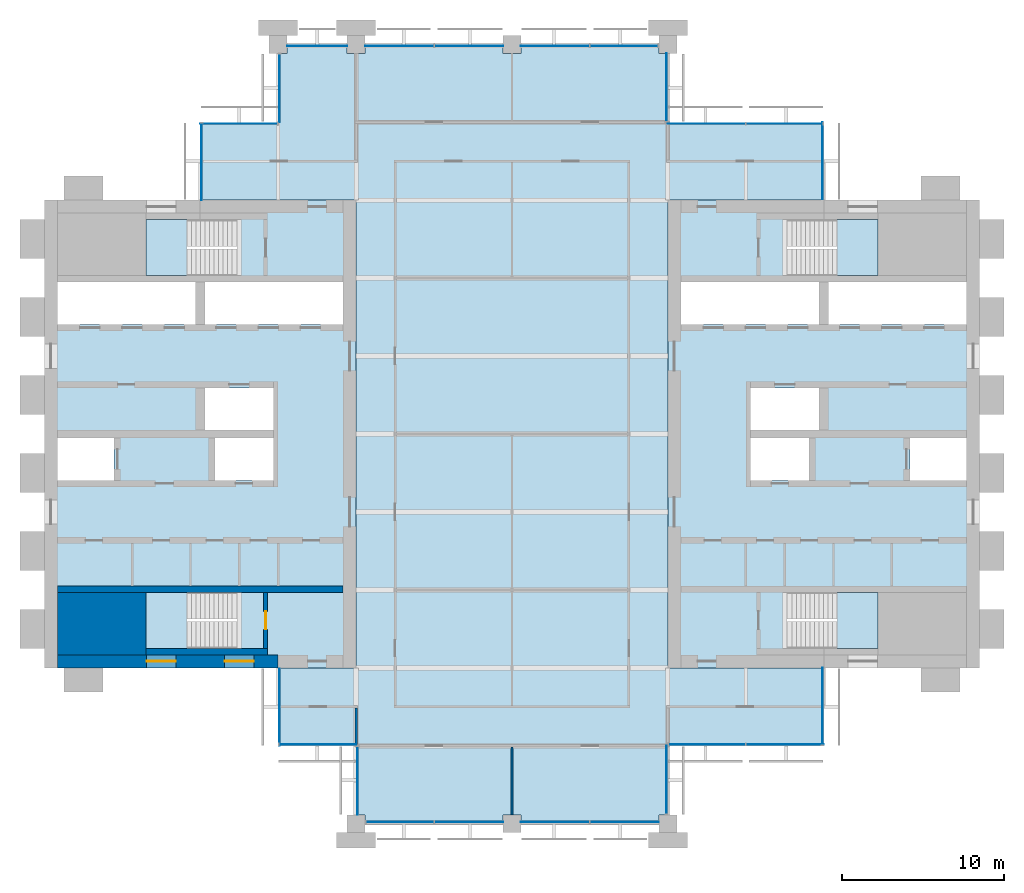
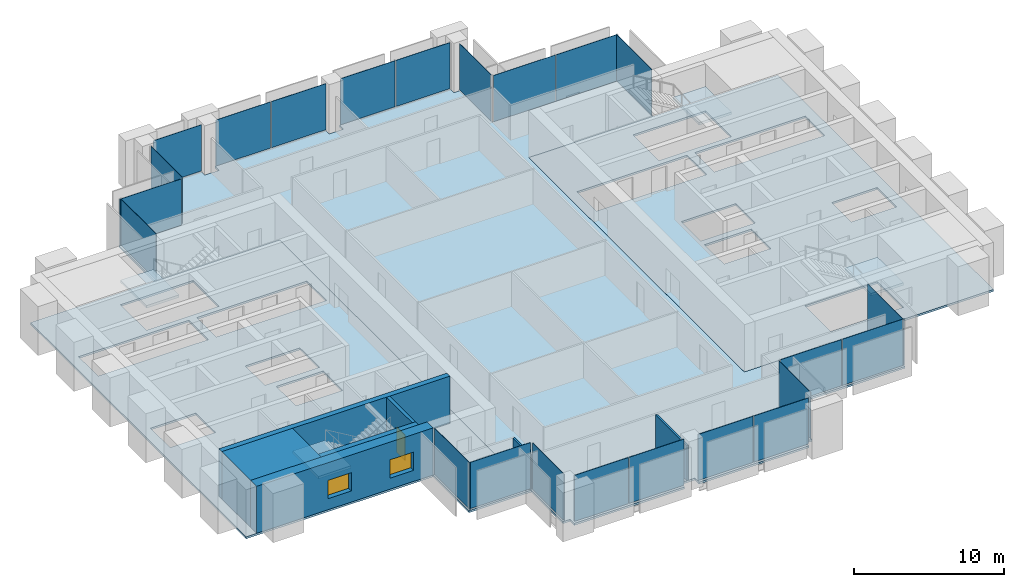
# One storey, part 7 of 13: 23 plates, 7 slabs, 7 walls, 2 windows, 1 door, 3 openings, 18 elements without a shape of their own.
"""IFC4 building model written with IfcOpenShell, lengths in metres."""

from ifc_helpers import new_model, si_unit, direction, frame, frame_2d, origin, origin_2d, place, context, subcontext, project, spatial, polyline, rectangle, outline, extrude, material, layer, layer_set, type_object, element, fill, aggregate, save


model = new_model("IFC4")

# Units and contexts
model_context = context("Model", 3, precision=1e-05, world=origin(), true_north=direction((0.0, 1.0)))
body_context = subcontext(model_context, "Body", "Model", "MODEL_VIEW")
ifc_project = project(units=[si_unit("LENGTHUNIT", "METRE"), si_unit("AREAUNIT", "SQUARE_METRE"), si_unit("VOLUMEUNIT", "CUBIC_METRE"), si_unit("PLANEANGLEUNIT", "RADIAN"), si_unit("MASSUNIT", "GRAM", prefix="KILO")], contexts=[model_context])

# Site, building, storey
site_placement = place(None, origin())
site = spatial("IfcSite", under=ifc_project, at=site_placement, CompositionType="ELEMENT")
building_placement = place(site_placement, origin())
building = spatial("IfcBuilding", under=site, at=building_placement, Name="Baori Bourse Tower", CompositionType="ELEMENT")
storey_placement = place(building_placement, frame((0.0, 0.0, 217.199951171875)))
storey = spatial("IfcBuildingStorey", under=building, at=storey_placement, Name="L47", CompositionType="ELEMENT", Elevation=217.199951171875)

# Curtain wall, plate
ifc_material_1 = material(Name="Pale anodised aluminium", Category="aluminium")
curtain_wall_type_1 = type_object("IfcCurtainWallType", Name="CW2 Curtain wall", PredefinedType="NOTDEFINED", material=ifc_material_1)
curtain_wall_1_placement = place(storey_placement, origin())
curtain_wall_1 = element("IfcCurtainWall", 1, at=curtain_wall_1_placement, inside=storey, type_object=curtain_wall_type_1, Name="Curtain wall CW2 L47 1", PredefinedType="NOTDEFINED")
ifc_material_2 = material(Name="Clear glass", Category="glass")
ifc_layer_1 = layer(ifc_material_2, 0.030029296875)
ifc_layer_set_1 = layer_set([ifc_layer_1], Name="CW2 Curtain wall panel")
plate_type_1 = type_object("IfcPlateType", Name="CW2 Curtain wall panel", PredefinedType="CURTAIN_PANEL", material=ifc_layer_set_1)
plate_1_placement = place(storey_placement, frame((47.909912109375, 40.827392578125, 0.070068359375), z_axis=(0.0, 0.0, 1.0), x_axis=(0.0, 1.0, 0.0)))
plate_1 = element("IfcPlate", 2, at=plate_1_placement, type_object=plate_type_1, Name="Curtain wall CW2 panel", PredefinedType="CURTAIN_PANEL", context=body_context, shape_type="SweptSolid", body=[
    extrude(rectangle(XDim=4.7451171875, YDim=0.030029296875, at=origin_2d()), origin(), (0.0, 0.0, 1.0), 3.77001953125),
])
aggregate(curtain_wall_1, [plate_1])

# Curtain wall, plates
curtain_wall_2_placement = place(storey_placement, origin())
curtain_wall_2 = element("IfcCurtainWall", 3, at=curtain_wall_2_placement, inside=storey, type_object=curtain_wall_type_1, Name="Curtain wall CW2 L47 2", PredefinedType="NOTDEFINED")
plate_2_placement = place(storey_placement, frame((45.586181640625, 43.110107421875, 0.070068359375), z_axis=(0.0, 0.0, 1.0), x_axis=(-1.0, 0.0, 0.0)))
plate_2 = element("IfcPlate", 4, at=plate_2_placement, type_object=plate_type_1, Name="Curtain wall CW2 panel", PredefinedType="CURTAIN_PANEL", context=body_context, shape_type="SweptSolid", body=[
    extrude(rectangle(XDim=4.717529296875, YDim=0.030029296875, at=origin_2d()), origin(), (0.0, 0.0, 1.0), 3.77001953125),
])
plate_3_placement = place(storey_placement, frame((40.7861328125, 43.110107421875, 0.070068359375), z_axis=(0.0, 0.0, 1.0), x_axis=(-1.0, 0.0, 0.0)))
plate_3 = element("IfcPlate", 5, at=plate_3_placement, type_object=plate_type_1, Name="Curtain wall CW2 panel", PredefinedType="CURTAIN_PANEL", context=body_context, shape_type="SweptSolid", body=[
    extrude(rectangle(XDim=4.7724609375, YDim=0.030029296875, at=origin_2d()), origin(), (0.0, 0.0, 1.0), 3.77001953125),
])
aggregate(curtain_wall_2, [plate_2, plate_3])

# Curtain wall, plate
curtain_wall_3_placement = place(storey_placement, origin())
curtain_wall_3 = element("IfcCurtainWall", 6, at=curtain_wall_3_placement, inside=storey, type_object=curtain_wall_type_1, Name="Curtain wall CW2 L47 3", PredefinedType="NOTDEFINED")
plate_4_placement = place(storey_placement, frame((38.31005859375, 45.3525390625, 0.070068359375), z_axis=(0.0, 0.0, 1.0), x_axis=(0.0, 1.0, 0.0)))
plate_4 = element("IfcPlate", 7, at=plate_4_placement, type_object=plate_type_1, Name="Curtain wall CW2 panel", PredefinedType="CURTAIN_PANEL", context=body_context, shape_type="SweptSolid", body=[
    extrude(rectangle(XDim=4.195068359375, YDim=0.030029296875, at=origin_2d()), origin(), (0.0, 0.0, 1.0), 3.77001953125),
])
aggregate(curtain_wall_3, [plate_4])

curtain_wall_4_placement = place(storey_placement, origin())
curtain_wall_4 = element("IfcCurtainWall", 8, at=curtain_wall_4_placement, inside=storey, type_object=curtain_wall_type_1, Name="Curtain wall CW2 L47 5", PredefinedType="NOTDEFINED")
plate_5_placement = place(storey_placement, frame((14.489990234375, 45.297607421875, 0.070068359375), z_axis=(0.0, 0.0, 1.0), x_axis=(0.0, -1.0, 0.0)))
plate_5 = element("IfcPlate", 9, at=plate_5_placement, type_object=plate_type_1, Name="Curtain wall CW2 panel", PredefinedType="CURTAIN_PANEL", context=body_context, shape_type="SweptSolid", body=[
    extrude(rectangle(XDim=4.195068359375, YDim=0.030029296875, at=origin_2d()), origin(), (0.0, 0.0, 1.0), 3.77001953125),
])
aggregate(curtain_wall_4, [plate_5])

curtain_wall_5_placement = place(storey_placement, origin())
curtain_wall_5 = element("IfcCurtainWall", 10, at=curtain_wall_5_placement, inside=storey, type_object=curtain_wall_type_1, Name="Curtain wall CW2 L47 6", PredefinedType="NOTDEFINED")
plate_6_placement = place(storey_placement, frame((11.972412109375, 43.110107421875, 0.070068359375), z_axis=(0.0, 0.0, 1.0), x_axis=(-1.0, 0.0, 0.0)))
plate_6 = element("IfcPlate", 11, at=plate_6_placement, type_object=plate_type_1, Name="Curtain wall CW2 panel", PredefinedType="CURTAIN_PANEL", context=body_context, shape_type="SweptSolid", body=[
    extrude(rectangle(XDim=4.7451171875, YDim=0.030029296875, at=origin_2d()), origin(), (0.0, 0.0, 1.0), 3.77001953125),
])
aggregate(curtain_wall_5, [plate_6])

curtain_wall_6_placement = place(storey_placement, origin())
curtain_wall_6 = element("IfcCurtainWall", 12, at=curtain_wall_6_placement, inside=storey, type_object=curtain_wall_type_1, Name="Curtain wall CW2 L47 7", PredefinedType="NOTDEFINED")
plate_7_placement = place(storey_placement, frame((9.68994140625, 40.7724609375, 0.070068359375), z_axis=(0.0, 0.0, 1.0), x_axis=(0.0, -1.0, 0.0)))
plate_7 = element("IfcPlate", 13, at=plate_7_placement, type_object=plate_type_1, Name="Curtain wall CW2 panel", PredefinedType="CURTAIN_PANEL", context=body_context, shape_type="SweptSolid", body=[
    extrude(rectangle(XDim=4.7451171875, YDim=0.030029296875, at=origin_2d()), origin(), (0.0, 0.0, 1.0), 3.77001953125),
])
aggregate(curtain_wall_6, [plate_7])

curtain_wall_7_placement = place(storey_placement, origin())
curtain_wall_7 = element("IfcCurtainWall", 14, at=curtain_wall_7_placement, inside=storey, type_object=curtain_wall_type_1, Name="Curtain wall CW2 L47 8", PredefinedType="NOTDEFINED")
plate_8_placement = place(storey_placement, frame((14.489990234375, 7.172607421875, 0.070068359375), z_axis=(0.0, 0.0, 1.0), x_axis=(0.0, -1.0, 0.0)))
plate_8 = element("IfcPlate", 15, at=plate_8_placement, type_object=plate_type_1, Name="Curtain wall CW2 panel", PredefinedType="CURTAIN_PANEL", context=body_context, shape_type="SweptSolid", body=[
    extrude(rectangle(XDim=4.7451171875, YDim=0.030029296875, at=origin_2d()), origin(), (0.0, 0.0, 1.0), 3.77001953125),
])
aggregate(curtain_wall_7, [plate_8])

curtain_wall_8_placement = place(storey_placement, origin())
curtain_wall_8 = element("IfcCurtainWall", 16, at=curtain_wall_8_placement, inside=storey, type_object=curtain_wall_type_1, Name="Curtain wall CW2 L47 9", PredefinedType="NOTDEFINED")
plate_9_placement = place(storey_placement, frame((16.827392578125, 4.889892578125, 0.070068359375), z_axis=(0.0, 0.0, 1.0), x_axis=(1.0, 0.0, 0.0)))
plate_9 = element("IfcPlate", 17, at=plate_9_placement, type_object=plate_type_1, Name="Curtain wall CW2 panel", PredefinedType="CURTAIN_PANEL", context=body_context, shape_type="SweptSolid", body=[
    extrude(rectangle(XDim=4.7451171875, YDim=0.030029296875, at=origin_2d()), origin(), (0.0, 0.0, 1.0), 3.77001953125),
])
aggregate(curtain_wall_8, [plate_9])

curtain_wall_9_placement = place(storey_placement, origin())
curtain_wall_9 = element("IfcCurtainWall", 18, at=curtain_wall_9_placement, inside=storey, type_object=curtain_wall_type_1, Name="Curtain wall CW2 L47 10", PredefinedType="NOTDEFINED")
plate_10_placement = place(storey_placement, frame((19.2900390625, 2.6474609375, 0.070068359375), z_axis=(0.0, 0.0, 1.0), x_axis=(0.0, -1.0, 0.0)))
plate_10 = element("IfcPlate", 19, at=plate_10_placement, type_object=plate_type_1, Name="Curtain wall CW2 panel", PredefinedType="CURTAIN_PANEL", context=body_context, shape_type="SweptSolid", body=[
    extrude(rectangle(XDim=4.195068359375, YDim=0.030029296875, at=origin_2d()), origin(), (0.0, 0.0, 1.0), 3.77001953125),
])
aggregate(curtain_wall_9, [plate_10])

curtain_wall_10_placement = place(storey_placement, origin())
curtain_wall_10 = element("IfcCurtainWall", 20, at=curtain_wall_10_placement, inside=storey, type_object=curtain_wall_type_1, Name="Curtain wall CW2 L47 12", PredefinedType="NOTDEFINED")
plate_11_placement = place(storey_placement, frame((38.31005859375, 2.702392578125, 0.070068359375), z_axis=(0.0, 0.0, 1.0), x_axis=(0.0, 1.0, 0.0)))
plate_11 = element("IfcPlate", 21, at=plate_11_placement, type_object=plate_type_1, Name="Curtain wall CW2 panel", PredefinedType="CURTAIN_PANEL", context=body_context, shape_type="SweptSolid", body=[
    extrude(rectangle(XDim=4.195068359375, YDim=0.030029296875, at=origin_2d()), origin(), (0.0, 0.0, 1.0), 3.77001953125),
])
aggregate(curtain_wall_10, [plate_11])

# Curtain wall, plates
curtain_wall_11_placement = place(storey_placement, origin())
curtain_wall_11 = element("IfcCurtainWall", 22, at=curtain_wall_11_placement, inside=storey, type_object=curtain_wall_type_1, Name="Curtain wall CW2 L47 13", PredefinedType="NOTDEFINED")
plate_12_placement = place(storey_placement, frame((40.813720703125, 4.889892578125, 0.070068359375), z_axis=(0.0, 0.0, 1.0), x_axis=(1.0, 0.0, 0.0)))
plate_12 = element("IfcPlate", 23, at=plate_12_placement, type_object=plate_type_1, Name="Curtain wall CW2 panel", PredefinedType="CURTAIN_PANEL", context=body_context, shape_type="SweptSolid", body=[
    extrude(rectangle(XDim=4.717529296875, YDim=0.030029296875, at=origin_2d()), origin(), (0.0, 0.0, 1.0), 3.77001953125),
])
plate_13_placement = place(storey_placement, frame((45.61376953125, 4.889892578125, 0.070068359375), z_axis=(0.0, 0.0, 1.0), x_axis=(1.0, 0.0, 0.0)))
plate_13 = element("IfcPlate", 24, at=plate_13_placement, type_object=plate_type_1, Name="Curtain wall CW2 panel", PredefinedType="CURTAIN_PANEL", context=body_context, shape_type="SweptSolid", body=[
    extrude(rectangle(XDim=4.7724609375, YDim=0.030029296875, at=origin_2d()), origin(), (0.0, 0.0, 1.0), 3.77001953125),
])
aggregate(curtain_wall_11, [plate_12, plate_13])

# Curtain wall, plate
curtain_wall_12_placement = place(storey_placement, origin())
curtain_wall_12 = element("IfcCurtainWall", 25, at=curtain_wall_12_placement, inside=storey, type_object=curtain_wall_type_1, Name="Curtain wall CW2 L47 14", PredefinedType="NOTDEFINED")
plate_14_placement = place(storey_placement, frame((47.909912109375, 7.2275390625, 0.070068359375), z_axis=(0.0, 0.0, 1.0), x_axis=(0.0, 1.0, 0.0)))
plate_14 = element("IfcPlate", 26, at=plate_14_placement, type_object=plate_type_1, Name="Curtain wall CW2 panel", PredefinedType="CURTAIN_PANEL", context=body_context, shape_type="SweptSolid", body=[
    extrude(rectangle(XDim=4.7451171875, YDim=0.030029296875, at=origin_2d()), origin(), (0.0, 0.0, 1.0), 3.77001953125),
])
aggregate(curtain_wall_12, [plate_14])

# Curtain wall, plates
ifc_material_3 = material(Name="Pale anodised aluminium", Category="aluminium")
curtain_wall_type_2 = type_object("IfcCurtainWallType", Name="CW5 Curtain wall", PredefinedType="NOTDEFINED", material=ifc_material_3)
curtain_wall_13_placement = place(storey_placement, origin())
curtain_wall_13 = element("IfcCurtainWall", 27, at=curtain_wall_13_placement, inside=storey, type_object=curtain_wall_type_2, Name="Curtain wall CW5 L47 4", PredefinedType="NOTDEFINED")
ifc_material_4 = material(Name="Clear glass", Category="glass")
ifc_layer_2 = layer(ifc_material_4, 0.035888671875)
ifc_layer_set_2 = layer_set([ifc_layer_2], Name="CW5 Curtain wall panel")
plate_type_2 = type_object("IfcPlateType", Name="CW5 Curtain wall panel", PredefinedType="CURTAIN_PANEL", material=ifc_layer_set_2)
plate_15_placement = place(storey_placement, frame((35.708740234375, 47.889892578125, 0.085205078125), z_axis=(0.0, 0.0, 1.0), x_axis=(-1.0, 0.0, 0.0)))
plate_15 = element("IfcPlate", 28, at=plate_15_placement, type_object=plate_type_2, Name="Curtain wall CW5 panel", PredefinedType="CURTAIN_PANEL", context=body_context, shape_type="SweptSolid", body=[
    extrude(rectangle(XDim=4.152587890625, YDim=0.035888671875, at=origin_2d()), origin(), (0.0, 0.0, 1.0), 3.7548828125),
])
plate_16_placement = place(storey_placement, frame((31.458740234375, 47.889892578125, 0.085205078125), z_axis=(0.0, 0.0, 1.0), x_axis=(-1.0, 0.0, 0.0)))
plate_16 = element("IfcPlate", 29, at=plate_16_placement, type_object=plate_type_2, Name="Curtain wall CW5 panel", PredefinedType="CURTAIN_PANEL", context=body_context, shape_type="SweptSolid", body=[
    extrude(rectangle(XDim=4.217529296875, YDim=0.035888671875, at=origin_2d()), origin(), (0.0, 0.0, 1.0), 3.7548828125),
])
plate_17_placement = place(storey_placement, frame((26.141357421875, 47.889892578125, 0.085205078125), z_axis=(0.0, 0.0, 1.0), x_axis=(-1.0, 0.0, 0.0)))
plate_17 = element("IfcPlate", 30, at=plate_17_placement, type_object=plate_type_2, Name="Curtain wall CW5 panel", PredefinedType="CURTAIN_PANEL", context=body_context, shape_type="SweptSolid", body=[
    extrude(rectangle(XDim=4.217529296875, YDim=0.035888671875, at=origin_2d()), origin(), (0.0, 0.0, 1.0), 3.7548828125),
])
plate_18_placement = place(storey_placement, frame((21.858642578125, 47.889892578125, 0.085205078125), z_axis=(0.0, 0.0, 1.0), x_axis=(-1.0, 0.0, 0.0)))
plate_18 = element("IfcPlate", 31, at=plate_18_placement, type_object=plate_type_2, Name="Curtain wall CW5 panel", PredefinedType="CURTAIN_PANEL", context=body_context, shape_type="SweptSolid", body=[
    extrude(rectangle(XDim=4.217529296875, YDim=0.035888671875, at=origin_2d()), origin(), (0.0, 0.0, 1.0), 3.7548828125),
])
plate_19_placement = place(storey_placement, frame((16.800048828125, 47.889892578125, 0.085205078125), z_axis=(0.0, 0.0, 1.0), x_axis=(-1.0, 0.0, 0.0)))
plate_19 = element("IfcPlate", 32, at=plate_19_placement, type_object=plate_type_2, Name="Curtain wall CW5 panel", PredefinedType="CURTAIN_PANEL", context=body_context, shape_type="SweptSolid", body=[
    extrude(rectangle(XDim=3.699951171875, YDim=0.035888671875, at=origin_2d()), origin(), (0.0, 0.0, 1.0), 3.7548828125),
])
aggregate(curtain_wall_13, [plate_15, plate_16, plate_17, plate_18, plate_19])

curtain_wall_14_placement = place(storey_placement, origin())
curtain_wall_14 = element("IfcCurtainWall", 33, at=curtain_wall_14_placement, inside=storey, type_object=curtain_wall_type_2, Name="Curtain wall CW5 L47 11", PredefinedType="NOTDEFINED")
plate_20_placement = place(storey_placement, frame((21.891357421875, 0.110107421875, 0.085205078125), z_axis=(0.0, 0.0, 1.0), x_axis=(1.0, 0.0, 0.0)))
plate_20 = element("IfcPlate", 34, at=plate_20_placement, type_object=plate_type_2, Name="Curtain wall CW5 panel", PredefinedType="CURTAIN_PANEL", context=body_context, shape_type="SweptSolid", body=[
    extrude(rectangle(XDim=4.152587890625, YDim=0.035888671875, at=origin_2d()), origin(), (0.0, 0.0, 1.0), 3.7548828125),
])
plate_21_placement = place(storey_placement, frame((26.141357421875, 0.110107421875, 0.085205078125), z_axis=(0.0, 0.0, 1.0), x_axis=(1.0, 0.0, 0.0)))
plate_21 = element("IfcPlate", 35, at=plate_21_placement, type_object=plate_type_2, Name="Curtain wall CW5 panel", PredefinedType="CURTAIN_PANEL", context=body_context, shape_type="SweptSolid", body=[
    extrude(rectangle(XDim=4.217529296875, YDim=0.035888671875, at=origin_2d()), origin(), (0.0, 0.0, 1.0), 3.7548828125),
])
plate_22_placement = place(storey_placement, frame((31.458740234375, 0.110107421875, 0.085205078125), z_axis=(0.0, 0.0, 1.0), x_axis=(1.0, 0.0, 0.0)))
plate_22 = element("IfcPlate", 36, at=plate_22_placement, type_object=plate_type_2, Name="Curtain wall CW5 panel", PredefinedType="CURTAIN_PANEL", context=body_context, shape_type="SweptSolid", body=[
    extrude(rectangle(XDim=4.217529296875, YDim=0.035888671875, at=origin_2d()), origin(), (0.0, 0.0, 1.0), 3.7548828125),
])
plate_23_placement = place(storey_placement, frame((35.7412109375, 0.110107421875, 0.085205078125), z_axis=(0.0, 0.0, 1.0), x_axis=(1.0, 0.0, 0.0)))
plate_23 = element("IfcPlate", 37, at=plate_23_placement, type_object=plate_type_2, Name="Curtain wall CW5 panel", PredefinedType="CURTAIN_PANEL", context=body_context, shape_type="SweptSolid", body=[
    extrude(rectangle(XDim=4.217529296875, YDim=0.035888671875, at=origin_2d()), origin(), (0.0, 0.0, 1.0), 3.7548828125),
])
aggregate(curtain_wall_14, [plate_20, plate_21, plate_22, plate_23])

# Slabs
ifc_material_5 = material(Name="Concrete f'c 50 MPa", Category="concrete")
ifc_layer_3 = layer(ifc_material_5, 0.159912109375)
ifc_layer_set_3 = layer_set([ifc_layer_3], Name="Core slab 160")
slab_type_1 = type_object("IfcSlabType", Name="Core slab 160", PredefinedType="FLOOR", material=ifc_layer_set_3)
slab_1_placement = place(storey_placement, frame((0.0, 0.0, -0.159912109375)))
element("IfcSlab", 38, at=slab_1_placement, inside=storey, type_object=slab_type_1, Name="Core floor slab W01", PredefinedType="FLOOR", context=body_context, shape_type="SweptSolid", body=[
    extrude(outline(polyline([(19.199951171875, 38.39990234375), (0.0, 38.39990234375), (0.0, 9.60009765625), (19.199951171875, 9.60009765625), (19.199951171875, 38.39990234375)]), holes=[polyline([(9.89990234375, 33.35009765625), (18.39990234375, 33.35009765625), (18.39990234375, 30.75), (9.89990234375, 30.75), (9.89990234375, 33.35009765625)]), polyline([(10.5, 21.14990234375), (10.5, 23.75), (14.10009765625, 23.75), (14.10009765625, 21.14990234375), (10.5, 21.14990234375)]), polyline([(14.10009765625, 24.25), (9.89990234375, 24.25), (9.89990234375, 26.85009765625), (14.10009765625, 26.85009765625), (14.10009765625, 24.25)]), polyline([(6.25, 14.25), (11.84912109375, 14.25), (11.84912109375, 10.800048828125), (6.25, 10.800048828125), (6.25, 14.25)]), polyline([(11.84912109375, 37.199951171875), (11.84912109375, 33.75), (6.25, 33.75), (6.25, 37.199951171875), (11.84912109375, 37.199951171875)]), polyline([(0.800048828125, 30.75), (0.800048828125, 33.35009765625), (9.300048828125, 33.35009765625), (9.300048828125, 30.75), (0.800048828125, 30.75)]), polyline([(4.300048828125, 23.75), (4.300048828125, 21.14990234375), (0.800048828125, 21.14990234375), (0.800048828125, 23.75), (4.300048828125, 23.75)])]), origin(), (0.0, 0.0, 1.0), 0.159912109375),
])
slab_2_placement = place(storey_placement, frame((0.0, 0.0, -0.159912109375)))
element("IfcSlab", 39, at=slab_2_placement, inside=storey, type_object=slab_type_1, Name="Core floor slab E01", PredefinedType="FLOOR", context=body_context, shape_type="SweptSolid", body=[
    extrude(outline(polyline([(57.60009765625, 9.60009765625), (57.60009765625, 38.39990234375), (38.39990234375, 38.39990234375), (38.39990234375, 9.60009765625), (57.60009765625, 9.60009765625)]), holes=[polyline([(48.300048828125, 33.35009765625), (56.800048828125, 33.35009765625), (56.800048828125, 30.75), (48.300048828125, 30.75), (48.300048828125, 33.35009765625)]), polyline([(56.800048828125, 21.14990234375), (53.300048828125, 21.14990234375), (53.300048828125, 23.75), (56.800048828125, 23.75), (56.800048828125, 21.14990234375)]), polyline([(45.750732421875, 14.25), (51.35009765625, 14.25), (51.35009765625, 10.800048828125), (45.750732421875, 10.800048828125), (45.750732421875, 14.25)]), polyline([(51.35009765625, 37.199951171875), (51.35009765625, 33.75), (45.750732421875, 33.75), (45.750732421875, 37.199951171875), (51.35009765625, 37.199951171875)]), polyline([(43.5, 24.25), (43.5, 26.85009765625), (47.699951171875, 26.85009765625), (47.699951171875, 24.25), (43.5, 24.25)]), polyline([(47.699951171875, 33.35009765625), (47.699951171875, 30.75), (39.199951171875, 30.75), (39.199951171875, 33.35009765625), (47.699951171875, 33.35009765625)]), polyline([(43.5, 23.75), (47.10009765625, 23.75), (47.10009765625, 21.14990234375), (43.5, 21.14990234375), (43.5, 23.75)])]), origin(), (0.0, 0.0, 1.0), 0.159912109375),
])

# Stair, slab
ifc_material_6 = material(Name="Concrete f'c 50 MPa", Category="concrete")
stair_type = type_object("IfcStairType", Name="Core stair", PredefinedType="HALF_TURN_STAIR", material=ifc_material_6)
stair_1_placement = place(storey_placement, origin())
stair_1 = element("IfcStair", 40, at=stair_1_placement, inside=storey, type_object=stair_type, Name="L47 Stair WA", PredefinedType="HALF_TURN_STAIR")
ifc_material_7 = material(Name="Concrete f'c 50 MPa", Category="concrete")
slab_type_2 = type_object("IfcSlabType", Name="Core stair landing", PredefinedType="LANDING", material=ifc_material_7)
slab_3_placement = place(storey_placement, frame((0.0, 0.0, 1.800048828125)))
slab_3 = element("IfcSlab", 41, at=slab_3_placement, type_object=slab_type_2, Name="ST1 landing 1", PredefinedType="LANDING", context=body_context, shape_type="SweptSolid", body=[
    extrude(outline(polyline([(8.77001953125, 14.25), (6.25, 14.25), (6.25, 10.800048828125), (8.77001953125, 10.800048828125), (8.77001953125, 14.25)])), origin(), (0.0, 0.0, 1.0), 0.199951171875),
])
aggregate(stair_1, [slab_3])

stair_2_placement = place(storey_placement, origin())
stair_2 = element("IfcStair", 42, at=stair_2_placement, inside=storey, type_object=stair_type, Name="L47 Stair WB", PredefinedType="HALF_TURN_STAIR")
slab_4_placement = place(storey_placement, frame((0.0, 0.0, 1.800048828125)))
slab_4 = element("IfcSlab", 43, at=slab_4_placement, type_object=slab_type_2, Name="ST2 landing 1", PredefinedType="LANDING", context=body_context, shape_type="SweptSolid", body=[
    extrude(outline(polyline([(8.77001953125, 37.199951171875), (6.25, 37.199951171875), (6.25, 33.75), (8.77001953125, 33.75), (8.77001953125, 37.199951171875)])), origin(), (0.0, 0.0, 1.0), 0.199951171875),
])
aggregate(stair_2, [slab_4])

stair_3_placement = place(storey_placement, origin())
stair_3 = element("IfcStair", 44, at=stair_3_placement, inside=storey, type_object=stair_type, Name="L47 Stair EA", PredefinedType="HALF_TURN_STAIR")
slab_5_placement = place(storey_placement, frame((0.0, 0.0, 1.800048828125)))
slab_5 = element("IfcSlab", 45, at=slab_5_placement, type_object=slab_type_2, Name="ST3 landing 1", PredefinedType="LANDING", context=body_context, shape_type="SweptSolid", body=[
    extrude(outline(polyline([(48.830078125, 10.800048828125), (51.35009765625, 10.800048828125), (51.35009765625, 14.25), (48.830078125, 14.25), (48.830078125, 10.800048828125)])), origin(), (0.0, 0.0, 1.0), 0.199951171875),
])
aggregate(stair_3, [slab_5])

stair_4_placement = place(storey_placement, origin())
stair_4 = element("IfcStair", 46, at=stair_4_placement, inside=storey, type_object=stair_type, Name="L47 Stair EB", PredefinedType="HALF_TURN_STAIR")
slab_6_placement = place(storey_placement, frame((0.0, 0.0, 1.800048828125)))
slab_6 = element("IfcSlab", 47, at=slab_6_placement, type_object=slab_type_2, Name="ST4 landing 1", PredefinedType="LANDING", context=body_context, shape_type="SweptSolid", body=[
    extrude(outline(polyline([(48.830078125, 33.75), (51.35009765625, 33.75), (51.35009765625, 37.199951171875), (48.830078125, 37.199951171875), (48.830078125, 33.75)])), origin(), (0.0, 0.0, 1.0), 0.199951171875),
])
aggregate(stair_4, [slab_6])

# Slab
ifc_material_8 = material(Name="Concrete f'c 40 MPa", Category="concrete")
ifc_layer_4 = layer(ifc_material_8, 0.159912109375)
ifc_layer_set_4 = layer_set([ifc_layer_4], Name="Floor slab 160")
slab_type_3 = type_object("IfcSlabType", Name="Floor slab 160", PredefinedType="FLOOR", material=ifc_layer_set_4)
slab_7_placement = place(storey_placement, frame((0.0, 0.0, -0.159912109375)))
element("IfcSlab", 48, at=slab_7_placement, inside=storey, type_object=slab_type_3, Name="Floor slab L47", PredefinedType="FLOOR", context=body_context, shape_type="SweptSolid", body=[
    extrude(outline(polyline([(19.199951171875, 4.800048828125), (14.39990234375, 4.800048828125), (14.39990234375, 9.60009765625), (19.199951171875, 9.60009765625), (19.199951171875, 38.39990234375), (9.60009765625, 38.39990234375), (9.60009765625, 43.199951171875), (14.39990234375, 43.199951171875), (14.39990234375, 47.449951171875), (14.949951171875, 47.449951171875), (14.949951171875, 48.0), (18.64990234375, 48.0), (18.64990234375, 47.449951171875), (19.75, 47.449951171875), (19.75, 48.0), (28.25, 48.0), (28.25, 47.449951171875), (29.35009765625, 47.449951171875), (29.35009765625, 48.0), (37.85009765625, 48.0), (37.85009765625, 47.449951171875), (38.39990234375, 47.449951171875), (38.39990234375, 43.199951171875), (48.0, 43.199951171875), (48.0, 38.39990234375), (38.39990234375, 38.39990234375), (38.39990234375, 9.60009765625), (48.0, 9.60009765625), (48.0, 4.800048828125), (38.39990234375, 4.800048828125), (38.39990234375, 0.550048828125), (37.85009765625, 0.550048828125), (37.85009765625, 0.0), (29.35009765625, 0.0), (29.35009765625, 0.550048828125), (28.25, 0.550048828125), (28.25, 0.0), (19.75, 0.0), (19.75, 0.550048828125), (19.199951171875, 0.550048828125), (19.199951171875, 4.800048828125)])), origin(), (0.0, 0.0, 1.0), 0.159912109375),
])

# Wall
ifc_material_9 = material(Name="Concrete f'c 50 MPa", Category="concrete")
wall_type_1 = type_object("IfcWallType", Name="Core corner block f'c 50", PredefinedType="SHEAR", material=ifc_material_9)
wall_1_placement = place(storey_placement, frame((0.800048828125, 12.324951171875, 0.0), z_axis=(0.0, 0.0, 1.0), x_axis=(1.0, 0.0, 0.0)))
element("IfcWall", 49, at=wall_1_placement, inside=storey, type_object=wall_type_1, Name="Core wall W05", PredefinedType="SHEAR", context=body_context, shape_type="SweptSolid", body=[
    extrude(rectangle(XDim=5.449951171875, YDim=3.85009765625, at=frame_2d((2.72509765625, 0.0))), origin(), (0.0, 0.0, 1.0), 3.840087890625),
])

# Wall, openings, windows
ifc_material_10 = material(Name="Concrete f'c 50 MPa", Category="concrete")
ifc_layer_5 = layer(ifc_material_10, 0.800048828125)
ifc_layer_set_5 = layer_set([ifc_layer_5], Name="Core wall 800 f'c 50")
wall_type_2 = type_object("IfcWallType", Name="Core wall 800 f'c 50", PredefinedType="SHEAR", material=ifc_layer_set_5)
wall_2_placement = place(storey_placement, frame((14.39990234375, 10.0, 0.0), z_axis=(0.0, 0.0, 1.0), x_axis=(-1.0, 0.0, 0.0)))
wall_2 = element("IfcWall", 50, at=wall_2_placement, inside=storey, type_object=wall_type_2, Name="Core wall W02", PredefinedType="SHEAR", context=body_context, shape_type="SweptSolid", body=[
    extrude(rectangle(XDim=13.599853515625, YDim=0.800048828125, at=frame_2d((6.7998046875, 0.0))), origin(), (0.0, 0.0, 1.0), 3.840087890625),
])
opening_1_placement = place(wall_2_placement, frame((6.300048828125, 0.0, 0.89990234375)))
opening_1 = element("IfcOpeningElement", 51, at=opening_1_placement, cuts=wall_2, Name="Opening L47-KW103", PredefinedType="OPENING", context=body_context, shape_type="SweptSolid", body=[
    extrude(rectangle(XDim=1.800048828125, YDim=1.5, at=frame_2d((0.89990234375, 0.75))), frame((0.0, 0.409912109375, 0.0), z_axis=(0.0, -1.0, 0.0), x_axis=(1.0, 0.0, 0.0)), (0.0, 0.0, 1.0), 0.820068359375),
])
opening_2_placement = place(wall_2_placement, frame((1.5, 0.0, 0.89990234375)))
opening_2 = element("IfcOpeningElement", 52, at=opening_2_placement, cuts=wall_2, Name="Opening L47-KW104", PredefinedType="OPENING", context=body_context, shape_type="SweptSolid", body=[
    extrude(rectangle(XDim=1.800048828125, YDim=1.5, at=frame_2d((0.89990234375, 0.75))), frame((0.0, 0.409912109375, 0.0), z_axis=(0.0, -1.0, 0.0), x_axis=(1.0, 0.0, 0.0)), (0.0, 0.0, 1.0), 0.820068359375),
])
ifc_material_11 = material(Name="Pale anodised aluminium", Category="aluminium")
window_type = type_object("IfcWindowType", Name="Stair window 1800 x 1500", PartitioningType="SINGLE_PANEL", PredefinedType="WINDOW", material=ifc_material_11)
window_1_placement = place(opening_1_placement, origin())
window_1 = element("IfcWindow", 53, at=window_1_placement, inside=storey, type_object=window_type, Name="Stair window W L47 3", OverallHeight=1.5, OverallWidth=1.800048828125, PartitioningType="SINGLE_PANEL", PredefinedType="WINDOW", context=body_context, shape_type="SweptSolid", body=[
    extrude(rectangle(XDim=1.800048828125, YDim=1.5, at=frame_2d((0.89990234375, 0.75))), frame((0.0, 0.030029296875, 0.0), z_axis=(0.0, -1.0, 0.0), x_axis=(1.0, 0.0, 0.0)), (0.0, 0.0, 1.0), 0.06005859375),
])
fill(opening_1, window_1)
window_2_placement = place(opening_2_placement, origin())
window_2 = element("IfcWindow", 54, at=window_2_placement, inside=storey, type_object=window_type, Name="Stair window W L47 4", OverallHeight=1.5, OverallWidth=1.800048828125, PartitioningType="SINGLE_PANEL", PredefinedType="WINDOW", context=body_context, shape_type="SweptSolid", body=[
    extrude(rectangle(XDim=1.800048828125, YDim=1.5, at=frame_2d((0.89990234375, 0.75))), frame((0.0, 0.030029296875, 0.0), z_axis=(0.0, -1.0, 0.0), x_axis=(1.0, 0.0, 0.0)), (0.0, 0.0, 1.0), 0.06005859375),
])
fill(opening_2, window_2)

# Walls
ifc_material_12 = material(Name="Gypsum board partition")
ifc_layer_6 = layer(ifc_material_12, 0.14990234375)
ifc_layer_set_6 = layer_set([ifc_layer_6], Name="Corridor partition 150")
wall_type_3 = type_object("IfcWallType", Name="Corridor partition 150", PredefinedType="PARTITIONING", material=ifc_layer_set_6)
wall_3_placement = place(storey_placement, frame((19.199951171875, 4.875, 0.0), z_axis=(0.0, 0.0, 1.0), x_axis=(0.0, 1.0, 0.0)))
element("IfcWall", 55, at=wall_3_placement, inside=storey, type_object=wall_type_3, Name="Partition", PredefinedType="PARTITIONING", context=body_context, shape_type="SweptSolid", body=[
    extrude(rectangle(XDim=2.25, YDim=0.14990234375, at=frame_2d((1.125, 0.0))), origin(), (0.0, 0.0, 1.0), 2.849365234375),
])
ifc_material_13 = material(Name="Gypsum board partition")
ifc_layer_7 = layer(ifc_material_13, 0.125)
ifc_layer_set_7 = layer_set([ifc_layer_7], Name="Partition 125")
wall_type_4 = type_object("IfcWallType", Name="Partition 125", PredefinedType="PARTITIONING", material=ifc_layer_set_7)
wall_4_placement = place(storey_placement, frame((28.800048828125, 0.550048828125, 0.0), z_axis=(0.0, 0.0, 1.0), x_axis=(0.0, 1.0, 0.0)))
element("IfcWall", 56, at=wall_4_placement, inside=storey, type_object=wall_type_4, Name="Partition", PredefinedType="PARTITIONING", context=body_context, shape_type="SweptSolid", body=[
    extrude(rectangle(XDim=4.175048828125, YDim=0.125, at=frame_2d((2.08740234375, 0.0))), origin(), (0.0, 0.0, 1.0), 2.849365234375),
])

# Wall, opening, door
ifc_material_14 = material(Name="Concrete f'c 50 MPa", Category="concrete")
ifc_layer_8 = layer(ifc_material_14, 0.25)
ifc_layer_set_8 = layer_set([ifc_layer_8], Name="Shaft wall 250 f'c 50")
wall_type_5 = type_object("IfcWallType", Name="Shaft wall 250 f'c 50", PredefinedType="SHEAR", material=ifc_layer_set_8)
wall_5_placement = place(storey_placement, frame((13.625, 10.800048828125, 0.0), z_axis=(0.0, 0.0, 1.0), x_axis=(0.0, 1.0, 0.0)))
wall_5 = element("IfcWall", 57, at=wall_5_placement, inside=storey, type_object=wall_type_5, Name="Core wall W07", PredefinedType="SHEAR", context=body_context, shape_type="SweptSolid", body=[
    extrude(rectangle(XDim=3.449951171875, YDim=0.25, at=frame_2d((1.72509765625, 0.0))), origin(), (0.0, 0.0, 1.0), 3.840087890625),
])
opening_3_placement = place(wall_5_placement, frame((1.175048828125, 0.0, 0.0)))
opening_3 = element("IfcOpeningElement", 58, at=opening_3_placement, cuts=wall_5, Name="Opening L47-D101", PredefinedType="OPENING", context=body_context, shape_type="SweptSolid", body=[
    extrude(rectangle(XDim=1.10009765625, YDim=2.10009765625, at=frame_2d((0.550048828125, 1.050048828125))), frame((0.0, 0.135009765625, 0.0), z_axis=(0.0, -1.0, 0.0), x_axis=(1.0, 0.0, 0.0)), (0.0, 0.0, 1.0), 0.27001953125),
])
ifc_material_15 = material(Name="Painted steel door", Category="steel")
door_type = type_object("IfcDoorType", Name="Stair door 1100", OperationType="SINGLE_SWING_LEFT", PredefinedType="DOOR", material=ifc_material_15)
door_placement = place(opening_3_placement, origin())
door = element("IfcDoor", 59, at=door_placement, inside=storey, type_object=door_type, Name="Stair door A W L47", OperationType="SINGLE_SWING_LEFT", OverallHeight=2.10009765625, OverallWidth=1.10009765625, PredefinedType="DOOR", context=body_context, shape_type="SweptSolid", body=[
    extrude(rectangle(XDim=1.10009765625, YDim=2.10009765625, at=frame_2d((0.550048828125, 1.050048828125))), frame((0.0, 0.02490234375, 0.0), z_axis=(0.0, -1.0, 0.0), x_axis=(1.0, 0.0, 0.0)), (0.0, 0.0, 1.0), 0.050048828125),
])
fill(opening_3, door)

# Walls
ifc_material_16 = material(Name="Concrete f'c 50 MPa", Category="concrete")
ifc_layer_9 = layer(ifc_material_16, 0.39990234375)
ifc_layer_set_9 = layer_set([ifc_layer_9], Name="Shaft wall 400 f'c 50")
wall_type_6 = type_object("IfcWallType", Name="Shaft wall 400 f'c 50", PredefinedType="SHEAR", material=ifc_layer_set_9)
wall_6_placement = place(storey_placement, frame((6.25, 10.60009765625, 0.0), z_axis=(0.0, 0.0, 1.0), x_axis=(1.0, 0.0, 0.0)))
element("IfcWall", 60, at=wall_6_placement, inside=storey, type_object=wall_type_6, Name="Core wall W06", PredefinedType="SHEAR", context=body_context, shape_type="SweptSolid", body=[
    extrude(rectangle(XDim=7.5, YDim=0.39990234375, at=frame_2d((3.75, 0.0))), origin(), (0.0, 0.0, 1.0), 3.840087890625),
])
wall_7_placement = place(storey_placement, frame((0.800048828125, 14.449951171875, 0.0), z_axis=(0.0, 0.0, 1.0), x_axis=(1.0, 0.0, 0.0)))
element("IfcWall", 61, at=wall_7_placement, inside=storey, type_object=wall_type_6, Name="Core wall W08", PredefinedType="SHEAR", context=body_context, shape_type="SweptSolid", body=[
    extrude(rectangle(XDim=17.599853515625, YDim=0.39990234375, at=frame_2d((8.7998046875, 0.0))), origin(), (0.0, 0.0, 1.0), 3.840087890625),
])

save(model, "model.ifc")
